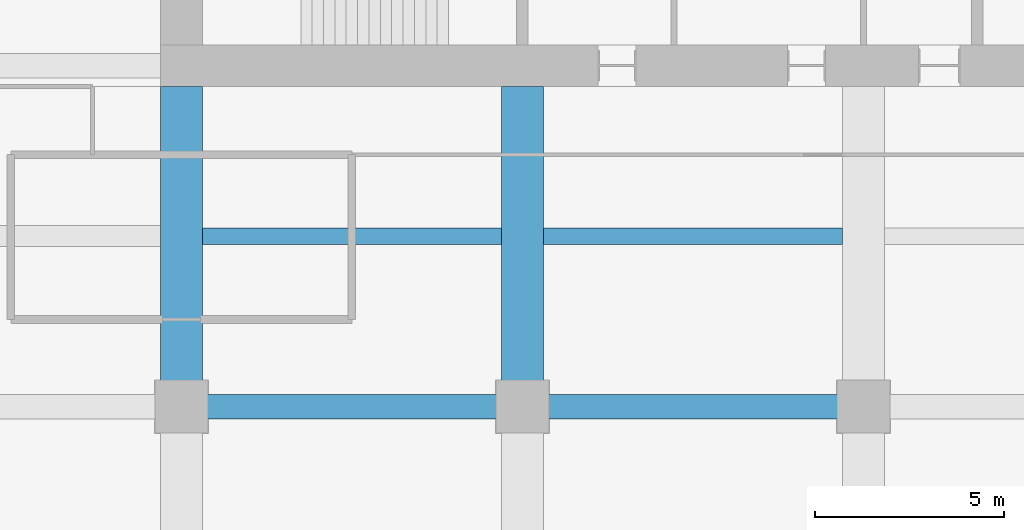
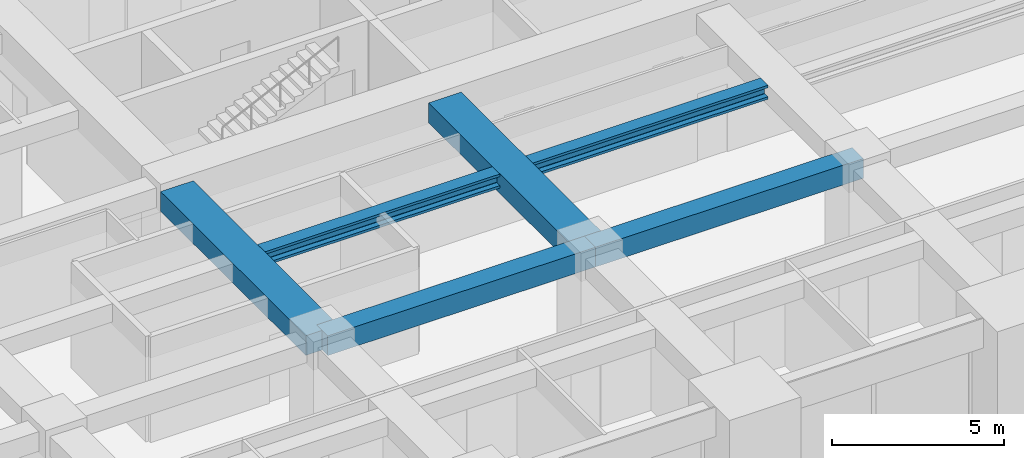
# One storey, part 8 of 33: 6 beams.
"""IFC4 building model written with IfcOpenShell, lengths in metres."""

from ifc_helpers import new_model, si_unit, direction, frame, origin, origin_2d, place, context, subcontext, project, spatial, rectangle, i_section, extrude, material, material_profile, profile_set, type_object, element, save


model = new_model("IFC4")

# Units and contexts
model_context = context("Model", 3, precision=1e-05, world=origin(), true_north=direction((0.0, 1.0)))
body_context = subcontext(model_context, "Body", "Model", "MODEL_VIEW")
ifc_project = project(units=[si_unit("LENGTHUNIT", "METRE"), si_unit("AREAUNIT", "SQUARE_METRE"), si_unit("VOLUMEUNIT", "CUBIC_METRE"), si_unit("PLANEANGLEUNIT", "RADIAN"), si_unit("MASSUNIT", "GRAM", prefix="KILO")], contexts=[model_context])

# Site, building, storey
site_placement = place(None, origin())
site = spatial("IfcSite", under=ifc_project, at=site_placement, CompositionType="ELEMENT")
building_placement = place(site_placement, origin())
building = spatial("IfcBuilding", under=site, at=building_placement, Name="Zorevar Civic Tower", CompositionType="ELEMENT")
storey_placement = place(building_placement, frame((0.0, 0.0, 210.199951171875)))
storey = spatial("IfcBuildingStorey", under=building, at=storey_placement, Name="L51", CompositionType="ELEMENT", Elevation=210.199951171875)

# Beams
ifc_material_1 = material(Name="Concrete C50/60", Category="concrete")
ifc_material_profile_1 = material_profile(ifc_material_1, rectangle(XDim=1.10009765625, YDim=0.699951171875, at=origin_2d()), Name="RC 1100x700")
ifc_profile_set_1 = profile_set([ifc_material_profile_1], Name="Concrete C50/60")
beam_type_1 = type_object("IfcBeamType", Name="Beam RC 1100x700", PredefinedType="BEAM", material=ifc_profile_set_1)
for number, where, z_axis, x_axis, name in (
    (1, (18.0, 9.0, 3.400146484375), (0.0, 1.0, 0.0), (-1.0, 0.0, 0.0), "Girder L52"),
    (2, (27.0, 9.0, 3.400146484375), (0.0, 1.0, 0.0), (-1.0, 0.0, 0.0), "Girder L52"),
):
    element("IfcBeam", number, at=place(storey_placement, frame(where, z_axis=z_axis, x_axis=x_axis)), inside=storey, type_object=beam_type_1, Name=name, PredefinedType="BEAM", context=body_context, shape_type="SweptSolid", body=[
        extrude(rectangle(XDim=1.10009765625, YDim=0.699951171875, at=origin_2d()), origin(), (0.0, 0.0, 1.0), 8.449951171875),
    ])
ifc_material_2 = material(Name="Concrete C50/60", Category="concrete")
ifc_material_profile_2 = material_profile(ifc_material_2, rectangle(XDim=0.64990234375, YDim=0.699951171875, at=origin_2d()), Name="RC 650x700")
ifc_profile_set_2 = profile_set([ifc_material_profile_2], Name="Concrete C50/60")
beam_type_2 = type_object("IfcBeamType", Name="Beam RC 650x700", PredefinedType="BEAM", material=ifc_profile_set_2)
for number, where, z_axis, x_axis, name in (
    (3, (18.0, 9.0, 3.400146484375), (1.0, 0.0, 0.0), (0.0, 1.0, 0.0), "Girder L52"),
    (4, (27.0, 9.0, 3.400146484375), (1.0, 0.0, 0.0), (0.0, 1.0, 0.0), "Girder L52"),
):
    element("IfcBeam", number, at=place(storey_placement, frame(where, z_axis=z_axis, x_axis=x_axis)), inside=storey, type_object=beam_type_2, Name=name, PredefinedType="BEAM", context=body_context, shape_type="SweptSolid", body=[
        extrude(rectangle(XDim=0.64990234375, YDim=0.699951171875, at=origin_2d()), origin(), (0.0, 0.0, 1.0), 9.0),
    ])
ifc_material_3 = material(Name="Steel S460M (HISTAR 460)", Category="steel")
ifc_material_profile_3 = material_profile(ifc_material_3, i_section(OverallWidth=0.431884765625, OverallDepth=0.498046875, WebThickness=0.0556640625, FlangeThickness=0.0888671875, FilletRadius=0.014892578125, at=origin_2d()), Name="HD 400x744")
ifc_profile_set_3 = profile_set([ifc_material_profile_3], Name="Steel S460M (HISTAR 460)")
beam_type_3 = type_object("IfcBeamType", Name="Core bay beam HD 400x744", PredefinedType="BEAM", material=ifc_profile_set_3)
for number, where, z_axis, x_axis, name in (
    (5, (18.550048828125, 13.5, 3.5009765625), (1.0, 0.0, 0.0), (0.0, 1.0, 0.0), "Secondary beam L52"),
    (6, (27.550048828125, 13.5, 3.5009765625), (1.0, 0.0, 0.0), (0.0, 1.0, 0.0), "Secondary beam L52"),
):
    element("IfcBeam", number, at=place(storey_placement, frame(where, z_axis=z_axis, x_axis=x_axis)), inside=storey, type_object=beam_type_3, Name=name, PredefinedType="BEAM", context=body_context, shape_type="SweptSolid", body=[
        extrude(i_section(OverallWidth=0.431884765625, OverallDepth=0.498046875, WebThickness=0.0556640625, FlangeThickness=0.0888671875, FilletRadius=0.014892578125, at=origin_2d()), origin(), (0.0, 0.0, 1.0), 7.89990234375),
    ])

save(model, "model.ifc")
